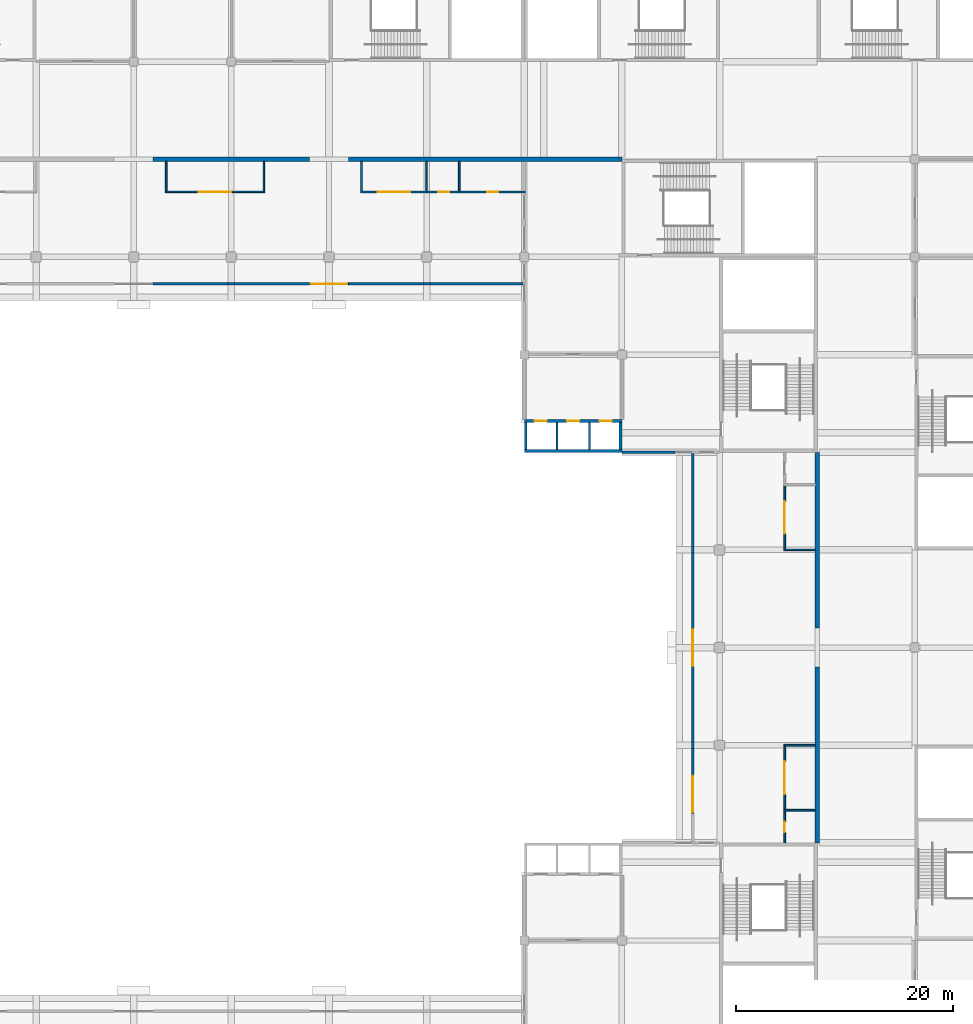
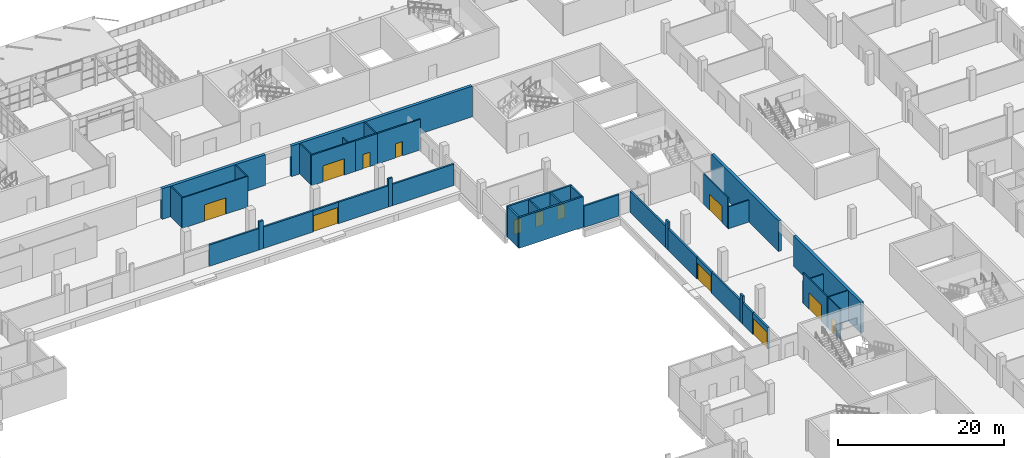
# One storey, part 102 of 168: 41 walls, 13 doors, 13 openings.
"""IFC4 building model written with IfcOpenShell, lengths in metres."""

from ifc_helpers import new_model, si_unit, direction, frame, frame_2d, origin, place, context, subcontext, project, spatial, rectangle, extrude, material, layer, layer_set, type_object, element, fill, save


model = new_model("IFC4")

# Units and contexts
model_context = context("Model", 3, precision=1e-05, world=origin(), true_north=direction((0.0, 1.0)))
body_context = subcontext(model_context, "Body", "Model", "MODEL_VIEW")
ifc_project = project(units=[si_unit("LENGTHUNIT", "METRE"), si_unit("AREAUNIT", "SQUARE_METRE"), si_unit("VOLUMEUNIT", "CUBIC_METRE"), si_unit("PLANEANGLEUNIT", "RADIAN"), si_unit("MASSUNIT", "GRAM", prefix="KILO")], contexts=[model_context])

# Site, building, storey
site_placement = place(None, origin())
site = spatial("IfcSite", under=ifc_project, at=site_placement, CompositionType="ELEMENT")
building_placement = place(site_placement, origin())
building = spatial("IfcBuilding", under=site, at=building_placement, Name="Silverbay Arena", CompositionType="ELEMENT")
storey_placement = place(building_placement, frame((0.0, 0.0, 7.0)))
storey = spatial("IfcBuildingStorey", under=building, at=storey_placement, Name="L01", CompositionType="ELEMENT", Elevation=7.0)

# Wall
ifc_material_1 = material(Name="Concrete Grade C45", Category="concrete")
ifc_layer_1 = layer(ifc_material_1, 0.25)
ifc_layer_set_1 = layer_set([ifc_layer_1], Name="Concrete Grade C45")
wall_type_1 = type_object("IfcWallType", Name="Bowl enclosure wall RC 250 EI 120", PredefinedType="SOLIDWALL", material=ifc_layer_set_1)
wall_1_placement = place(storey_placement, frame((171.0, 99.0, 0.0), z_axis=(0.0, 0.0, 1.0), x_axis=(1.0, 0.0, 0.0)))
element("IfcWall", 1, at=wall_1_placement, inside=storey, type_object=wall_type_1, Name="Bowl enclosure wall, corner block NE-y", PredefinedType="SOLIDWALL", context=body_context, shape_type="SweptSolid", body=[
    extrude(rectangle(XDim=4.89990234375, YDim=0.25, at=frame_2d((2.449951171875, 0.0))), origin(), (0.0, 0.0, 1.0), 3.14990234375),
])

# Wall, opening, door
wall_2_placement = place(storey_placement, frame((142.199951171875, 114.52490234375, 0.0), z_axis=(0.0, 0.0, 1.0), x_axis=(1.0, 0.0, 0.0)))
wall_2 = element("IfcWall", 2, at=wall_2_placement, inside=storey, type_object=wall_type_1, Name="portal vomitory North 144", PredefinedType="SOLIDWALL", context=body_context, shape_type="SweptSolid", body=[
    extrude(rectangle(XDim=3.60009765625, YDim=0.25, at=frame_2d((1.800048828125, 0.0))), origin(), (0.0, 0.0, 1.0), 3.14990234375),
])
opening_1_placement = place(wall_2_placement, frame((0.10009765625, 0.0, 0.0)))
opening_1 = element("IfcOpeningElement", 3, at=opening_1_placement, cuts=wall_2, Name="Opening L01-162", PredefinedType="OPENING", context=body_context, shape_type="SweptSolid", body=[
    extrude(rectangle(XDim=3.39990234375, YDim=2.39990234375, at=frame_2d((1.699951171875, 1.199951171875))), frame((0.0, 0.135009765625, 0.0), z_axis=(0.0, -1.0, 0.0), x_axis=(1.0, 0.0, 0.0)), (0.0, 0.0, 1.0), 0.27001953125),
])
ifc_material_2 = material(Name="Steel", Category="steel")
door_type_1 = type_object("IfcDoorType", Name="Fire door set 3400 x 2400 FD120S portal", OperationType="DOUBLE_DOOR_SINGLE_SWING", PredefinedType="DOOR", material=ifc_material_2)
door_1_placement = place(opening_1_placement, origin())
door_1 = element("IfcDoor", 4, at=door_1_placement, inside=storey, type_object=door_type_1, Name="Fire door set L01 portal vomitory North 144", OperationType="DOUBLE_DOOR_SINGLE_SWING", OverallHeight=2.39990234375, OverallWidth=3.39990234375, PredefinedType="DOOR", context=body_context, shape_type="SweptSolid", body=[
    extrude(rectangle(XDim=3.39990234375, YDim=2.39990234375, at=frame_2d((1.699951171875, 1.199951171875))), frame((0.0, 0.02490234375, 0.0), z_axis=(0.0, -1.0, 0.0), x_axis=(1.0, 0.0, 0.0)), (0.0, 0.0, 1.0), 0.050048828125),
])
fill(opening_1, door_1)

wall_3_placement = place(storey_placement, frame((177.52490234375, 79.199951171875, 0.0), z_axis=(0.0, 0.0, 1.0), x_axis=(0.0, 1.0, 0.0)))
wall_3 = element("IfcWall", 5, at=wall_3_placement, inside=storey, type_object=wall_type_1, Name="portal vomitory East 81", PredefinedType="SOLIDWALL", context=body_context, shape_type="SweptSolid", body=[
    extrude(rectangle(XDim=3.60009765625, YDim=0.25, at=frame_2d((1.800048828125, 0.0))), origin(), (0.0, 0.0, 1.0), 3.14990234375),
])
opening_2_placement = place(wall_3_placement, frame((0.10009765625, 0.0, 0.0)))
opening_2 = element("IfcOpeningElement", 6, at=opening_2_placement, cuts=wall_3, Name="Opening L01-164", PredefinedType="OPENING", context=body_context, shape_type="SweptSolid", body=[
    extrude(rectangle(XDim=3.39990234375, YDim=2.39990234375, at=frame_2d((1.699951171875, 1.199951171875))), frame((0.0, 0.135009765625, 0.0), z_axis=(0.0, -1.0, 0.0), x_axis=(1.0, 0.0, 0.0)), (0.0, 0.0, 1.0), 0.27001953125),
])
door_2_placement = place(opening_2_placement, frame((3.39990234375, 0.0, 0.0), z_axis=(0.0, 0.0, 1.0), x_axis=(-1.0, 0.0, 0.0)))
door_2 = element("IfcDoor", 7, at=door_2_placement, inside=storey, type_object=door_type_1, Name="Fire door set L01 portal vomitory East 81", OperationType="DOUBLE_DOOR_SINGLE_SWING", OverallHeight=2.39990234375, OverallWidth=3.39990234375, PredefinedType="DOOR", context=body_context, shape_type="SweptSolid", body=[
    extrude(rectangle(XDim=3.39990234375, YDim=2.39990234375, at=frame_2d((1.699951171875, 1.199951171875))), frame((0.0, 0.02490234375, 0.0), z_axis=(0.0, -1.0, 0.0), x_axis=(1.0, 0.0, 0.0)), (0.0, 0.0, 1.0), 0.050048828125),
])
fill(opening_2, door_2)

wall_4_placement = place(storey_placement, frame((177.52490234375, 65.699951171875, 0.0), z_axis=(0.0, 0.0, 1.0), x_axis=(0.0, 1.0, 0.0)))
wall_4 = element("IfcWall", 8, at=wall_4_placement, inside=storey, type_object=wall_type_1, Name="portal stand East 67.5", PredefinedType="SOLIDWALL", context=body_context, shape_type="SweptSolid", body=[
    extrude(rectangle(XDim=3.60009765625, YDim=0.25, at=frame_2d((1.800048828125, 0.0))), origin(), (0.0, 0.0, 1.0), 3.14990234375),
])
opening_3_placement = place(wall_4_placement, frame((0.10009765625, 0.0, 0.0)))
opening_3 = element("IfcOpeningElement", 9, at=opening_3_placement, cuts=wall_4, Name="Opening L01-168", PredefinedType="OPENING", context=body_context, shape_type="SweptSolid", body=[
    extrude(rectangle(XDim=3.39990234375, YDim=2.39990234375, at=frame_2d((1.699951171875, 1.199951171875))), frame((0.0, 0.135009765625, 0.0), z_axis=(0.0, -1.0, 0.0), x_axis=(1.0, 0.0, 0.0)), (0.0, 0.0, 1.0), 0.27001953125),
])
door_3_placement = place(opening_3_placement, frame((3.39990234375, 0.0, 0.0), z_axis=(0.0, 0.0, 1.0), x_axis=(-1.0, 0.0, 0.0)))
door_3 = element("IfcDoor", 10, at=door_3_placement, inside=storey, type_object=door_type_1, Name="Fire door set L01 portal stand East 67.5", OperationType="DOUBLE_DOOR_SINGLE_SWING", OverallHeight=2.39990234375, OverallWidth=3.39990234375, PredefinedType="DOOR", context=body_context, shape_type="SweptSolid", body=[
    extrude(rectangle(XDim=3.39990234375, YDim=2.39990234375, at=frame_2d((1.699951171875, 1.199951171875))), frame((0.0, 0.02490234375, 0.0), z_axis=(0.0, -1.0, 0.0), x_axis=(1.0, 0.0, 0.0)), (0.0, 0.0, 1.0), 0.050048828125),
])
fill(opening_3, door_3)

# Walls
wall_5_placement = place(storey_placement, frame((127.800048828125, 114.52490234375, 0.0), z_axis=(0.0, 0.0, 1.0), x_axis=(1.0, 0.0, 0.0)))
element("IfcWall", 11, at=wall_5_placement, inside=storey, type_object=wall_type_1, Name="Bowl enclosure wall, North stand", PredefinedType="SOLIDWALL", context=body_context, shape_type="SweptSolid", body=[
    extrude(rectangle(XDim=6.89990234375, YDim=0.25, at=frame_2d((3.449951171875, 0.0))), origin(), (0.0, 0.0, 1.0), 3.14990234375),
])
wall_6_placement = place(storey_placement, frame((153.300048828125, 114.52490234375, 0.0), z_axis=(0.0, 0.0, 1.0), x_axis=(1.0, 0.0, 0.0)))
element("IfcWall", 12, at=wall_6_placement, inside=storey, type_object=wall_type_1, Name="Bowl enclosure wall, North stand", PredefinedType="SOLIDWALL", context=body_context, shape_type="SweptSolid", body=[
    extrude(rectangle(XDim=8.574951171875, YDim=0.25, at=frame_2d((4.28759765625, 0.0))), origin(), (0.0, 0.0, 1.0), 3.14990234375),
])
wall_7_placement = place(storey_placement, frame((177.52490234375, 72.300048828125, 0.0), z_axis=(0.0, 0.0, 1.0), x_axis=(0.0, 1.0, 0.0)))
element("IfcWall", 13, at=wall_7_placement, inside=storey, type_object=wall_type_1, Name="Bowl enclosure wall, East stand", PredefinedType="SOLIDWALL", context=body_context, shape_type="SweptSolid", body=[
    extrude(rectangle(XDim=6.89990234375, YDim=0.25, at=frame_2d((3.449951171875, 0.0))), origin(), (0.0, 0.0, 1.0), 3.14990234375),
])
wall_8_placement = place(storey_placement, frame((177.52490234375, 90.300048828125, 0.0), z_axis=(0.0, 0.0, 1.0), x_axis=(0.0, 1.0, 0.0)))
element("IfcWall", 14, at=wall_8_placement, inside=storey, type_object=wall_type_1, Name="Bowl enclosure wall, East stand", PredefinedType="SOLIDWALL", context=body_context, shape_type="SweptSolid", body=[
    extrude(rectangle(XDim=8.574951171875, YDim=0.25, at=frame_2d((4.28759765625, 0.0))), origin(), (0.0, 0.0, 1.0), 3.14990234375),
])
wall_9_placement = place(storey_placement, frame((134.699951171875, 114.52490234375, 0.0), z_axis=(0.0, 0.0, 1.0), x_axis=(1.0, 0.0, 0.0)))
element("IfcWall", 15, at=wall_9_placement, inside=storey, type_object=wall_type_1, Name="Bowl enclosure wall, North stand", PredefinedType="SOLIDWALL", context=body_context, shape_type="SweptSolid", body=[
    extrude(rectangle(XDim=0.60009765625, YDim=0.25, at=frame_2d((0.300048828125, 0.0))), origin(), (0.0, 0.0, 1.0), 4.14990234375),
])
for number, where, z_axis, x_axis, name in (
    (16, (135.300048828125, 114.52490234375, 0.0), (0.0, 0.0, 1.0), (1.0, 0.0, 0.0), "Bowl enclosure wall, North stand"),
    (17, (145.800048828125, 114.52490234375, 0.0), (0.0, 0.0, 1.0), (1.0, 0.0, 0.0), "Bowl enclosure wall, North stand"),
):
    element("IfcWall", number, at=place(storey_placement, frame(where, z_axis=z_axis, x_axis=x_axis)), inside=storey, type_object=wall_type_1, Name=name, PredefinedType="SOLIDWALL", context=body_context, shape_type="SweptSolid", body=[
        extrude(rectangle(XDim=6.89990234375, YDim=0.25, at=frame_2d((3.449951171875, 0.0))), origin(), (0.0, 0.0, 1.0), 3.14990234375),
    ])
wall_10_placement = place(storey_placement, frame((152.699951171875, 114.52490234375, 0.0), z_axis=(0.0, 0.0, 1.0), x_axis=(1.0, 0.0, 0.0)))
element("IfcWall", 18, at=wall_10_placement, inside=storey, type_object=wall_type_1, Name="Bowl enclosure wall, North stand", PredefinedType="SOLIDWALL", context=body_context, shape_type="SweptSolid", body=[
    extrude(rectangle(XDim=0.60009765625, YDim=0.25, at=frame_2d((0.300048828125, 0.0))), origin(), (0.0, 0.0, 1.0), 4.14990234375),
])
wall_11_placement = place(storey_placement, frame((177.52490234375, 69.300048828125, 0.0), z_axis=(0.0, 0.0, 1.0), x_axis=(0.0, 1.0, 0.0)))
element("IfcWall", 19, at=wall_11_placement, inside=storey, type_object=wall_type_1, Name="Bowl enclosure wall, East stand", PredefinedType="SOLIDWALL", context=body_context, shape_type="SweptSolid", body=[
    extrude(rectangle(XDim=2.39990234375, YDim=0.25, at=frame_2d((1.199951171875, 0.0))), origin(), (0.0, 0.0, 1.0), 3.14990234375),
])
wall_12_placement = place(storey_placement, frame((177.52490234375, 71.699951171875, 0.0), z_axis=(0.0, 0.0, 1.0), x_axis=(0.0, 1.0, 0.0)))
element("IfcWall", 20, at=wall_12_placement, inside=storey, type_object=wall_type_1, Name="Bowl enclosure wall, East stand", PredefinedType="SOLIDWALL", context=body_context, shape_type="SweptSolid", body=[
    extrude(rectangle(XDim=0.60009765625, YDim=0.25, at=frame_2d((0.300048828125, 0.0))), origin(), (0.0, 0.0, 1.0), 4.14990234375),
])
wall_13_placement = place(storey_placement, frame((177.52490234375, 82.800048828125, 0.0), z_axis=(0.0, 0.0, 1.0), x_axis=(0.0, 1.0, 0.0)))
element("IfcWall", 21, at=wall_13_placement, inside=storey, type_object=wall_type_1, Name="Bowl enclosure wall, East stand", PredefinedType="SOLIDWALL", context=body_context, shape_type="SweptSolid", body=[
    extrude(rectangle(XDim=6.89990234375, YDim=0.25, at=frame_2d((3.449951171875, 0.0))), origin(), (0.0, 0.0, 1.0), 3.14990234375),
])
wall_14_placement = place(storey_placement, frame((177.52490234375, 89.699951171875, 0.0), z_axis=(0.0, 0.0, 1.0), x_axis=(0.0, 1.0, 0.0)))
element("IfcWall", 22, at=wall_14_placement, inside=storey, type_object=wall_type_1, Name="Bowl enclosure wall, East stand", PredefinedType="SOLIDWALL", context=body_context, shape_type="SweptSolid", body=[
    extrude(rectangle(XDim=0.60009765625, YDim=0.25, at=frame_2d((0.300048828125, 0.0))), origin(), (0.0, 0.0, 1.0), 4.14990234375),
])
ifc_material_3 = material(Name="Concrete Grade C45", Category="concrete")
ifc_layer_2 = layer(ifc_material_3, 0.199951171875)
ifc_layer_set_2 = layer_set([ifc_layer_2], Name="Concrete Grade C45")
wall_type_2 = type_object("IfcWallType", Name="Lift shaft divider RC 200 EI 120", PredefinedType="SHEAR", material=ifc_layer_set_2)
for number, where, z_axis, x_axis, name in (
    (23, (165.0, 99.25, 0.0), (0.0, 0.0, 1.0), (0.0, 1.0, 0.0), "Lift shaft divider LB-NE L01 1"),
    (24, (168.0, 99.25, 0.0), (0.0, 0.0, 1.0), (0.0, 1.0, 0.0), "Lift shaft divider LB-NE L01 2"),
):
    element("IfcWall", number, at=place(storey_placement, frame(where, z_axis=z_axis, x_axis=x_axis)), inside=storey, type_object=wall_type_2, Name=name, PredefinedType="SHEAR", context=body_context, shape_type="SweptSolid", body=[
        extrude(rectangle(XDim=2.5, YDim=0.199951171875, at=frame_2d((1.25, 0.0))), origin(), (0.0, 0.0, 1.0), 4.5),
    ])

# Wall, openings, doors
ifc_material_4 = material(Name="Concrete Grade C45", Category="concrete")
ifc_layer_3 = layer(ifc_material_4, 0.25)
ifc_layer_set_3 = layer_set([ifc_layer_3], Name="Concrete Grade C45")
wall_type_3 = type_object("IfcWallType", Name="Lift shaft wall RC 250 EI 120", PredefinedType="SHEAR", material=ifc_layer_set_3)
wall_15_placement = place(storey_placement, frame((162.0, 101.875, 0.0), z_axis=(0.0, 0.0, 1.0), x_axis=(1.0, 0.0, 0.0)))
wall_15 = element("IfcWall", 25, at=wall_15_placement, inside=storey, type_object=wall_type_3, Name="Lift shaft wall LB-NE L01 landing side", PredefinedType="SHEAR", context=body_context, shape_type="SweptSolid", body=[
    extrude(rectangle(XDim=9.0, YDim=0.25, at=frame_2d((4.5, 0.0))), origin(), (0.0, 0.0, 1.0), 4.5),
])
opening_4_placement = place(wall_15_placement, frame((0.949951171875, 0.0, 0.0)))
opening_4 = element("IfcOpeningElement", 26, at=opening_4_placement, cuts=wall_15, Name="Opening L01-138", PredefinedType="OPENING", context=body_context, shape_type="SweptSolid", body=[
    extrude(rectangle(XDim=1.10009765625, YDim=2.10009765625, at=frame_2d((0.550048828125, 1.050048828125))), frame((0.0, 0.135009765625, 0.0), z_axis=(0.0, -1.0, 0.0), x_axis=(1.0, 0.0, 0.0)), (0.0, 0.0, 1.0), 0.27001953125),
])
opening_5_placement = place(wall_15_placement, frame((3.949951171875, 0.0, 0.0)))
opening_5 = element("IfcOpeningElement", 27, at=opening_5_placement, cuts=wall_15, Name="Opening L01-139", PredefinedType="OPENING", context=body_context, shape_type="SweptSolid", body=[
    extrude(rectangle(XDim=1.10009765625, YDim=2.10009765625, at=frame_2d((0.550048828125, 1.050048828125))), frame((0.0, 0.135009765625, 0.0), z_axis=(0.0, -1.0, 0.0), x_axis=(1.0, 0.0, 0.0)), (0.0, 0.0, 1.0), 0.27001953125),
])
opening_6_placement = place(wall_15_placement, frame((6.949951171875, 0.0, 0.0)))
opening_6 = element("IfcOpeningElement", 28, at=opening_6_placement, cuts=wall_15, Name="Opening L01-140", PredefinedType="OPENING", context=body_context, shape_type="SweptSolid", body=[
    extrude(rectangle(XDim=1.10009765625, YDim=2.10009765625, at=frame_2d((0.550048828125, 1.050048828125))), frame((0.0, 0.135009765625, 0.0), z_axis=(0.0, -1.0, 0.0), x_axis=(1.0, 0.0, 0.0)), (0.0, 0.0, 1.0), 0.27001953125),
])
ifc_material_5 = material(Name="Stainless steel", Category="steel")
door_type_2 = type_object("IfcDoorType", Name="LD1 lift landing door 1100 x 2100", OperationType="DOUBLE_DOOR_SLIDING", PredefinedType="DOOR", material=ifc_material_5)
door_4_placement = place(opening_4_placement, origin())
door_4 = element("IfcDoor", 29, at=door_4_placement, inside=storey, type_object=door_type_2, Name="Lift landing door LF12 L01", OperationType="DOUBLE_DOOR_SLIDING", OverallHeight=2.10009765625, OverallWidth=1.10009765625, PredefinedType="DOOR", context=body_context, shape_type="SweptSolid", body=[
    extrude(rectangle(XDim=1.10009765625, YDim=2.10009765625, at=frame_2d((0.550048828125, 1.050048828125))), frame((0.0, 0.02490234375, 0.0), z_axis=(0.0, -1.0, 0.0), x_axis=(1.0, 0.0, 0.0)), (0.0, 0.0, 1.0), 0.050048828125),
])
fill(opening_4, door_4)
door_5_placement = place(opening_5_placement, origin())
door_5 = element("IfcDoor", 30, at=door_5_placement, inside=storey, type_object=door_type_2, Name="Lift landing door LF13 L01", OperationType="DOUBLE_DOOR_SLIDING", OverallHeight=2.10009765625, OverallWidth=1.10009765625, PredefinedType="DOOR", context=body_context, shape_type="SweptSolid", body=[
    extrude(rectangle(XDim=1.10009765625, YDim=2.10009765625, at=frame_2d((0.550048828125, 1.050048828125))), frame((0.0, 0.02490234375, 0.0), z_axis=(0.0, -1.0, 0.0), x_axis=(1.0, 0.0, 0.0)), (0.0, 0.0, 1.0), 0.050048828125),
])
fill(opening_5, door_5)
door_6_placement = place(opening_6_placement, origin())
door_6 = element("IfcDoor", 31, at=door_6_placement, inside=storey, type_object=door_type_2, Name="Lift landing door LF14 L01", OperationType="DOUBLE_DOOR_SLIDING", OverallHeight=2.10009765625, OverallWidth=1.10009765625, PredefinedType="DOOR", context=body_context, shape_type="SweptSolid", body=[
    extrude(rectangle(XDim=1.10009765625, YDim=2.10009765625, at=frame_2d((0.550048828125, 1.050048828125))), frame((0.0, 0.02490234375, 0.0), z_axis=(0.0, -1.0, 0.0), x_axis=(1.0, 0.0, 0.0)), (0.0, 0.0, 1.0), 0.050048828125),
])
fill(opening_6, door_6)

# Walls
wall_16_placement = place(storey_placement, frame((162.0, 99.125, 0.0), z_axis=(0.0, 0.0, 1.0), x_axis=(1.0, 0.0, 0.0)))
element("IfcWall", 32, at=wall_16_placement, inside=storey, type_object=wall_type_3, Name="Lift shaft wall LB-NE L01 back", PredefinedType="SHEAR", context=body_context, shape_type="SweptSolid", body=[
    extrude(rectangle(XDim=9.0, YDim=0.25, at=frame_2d((4.5, 0.0))), origin(), (0.0, 0.0, 1.0), 4.5),
])
for number, where, z_axis, x_axis, name in (
    (33, (162.125, 99.25, 0.0), (0.0, 0.0, 1.0), (0.0, 1.0, 0.0), "Lift shaft wall LB-NE L01 end"),
    (34, (170.875, 99.25, 0.0), (0.0, 0.0, 1.0), (0.0, 1.0, 0.0), "Lift shaft wall LB-NE L01 end"),
):
    element("IfcWall", number, at=place(storey_placement, frame(where, z_axis=z_axis, x_axis=x_axis)), inside=storey, type_object=wall_type_3, Name=name, PredefinedType="SHEAR", context=body_context, shape_type="SweptSolid", body=[
        extrude(rectangle(XDim=2.5, YDim=0.25, at=frame_2d((1.25, 0.0))), origin(), (0.0, 0.0, 1.0), 4.5),
    ])
ifc_material_6 = material(Name="Gypsum board partition on steel studs", Category="steel")
ifc_layer_4 = layer(ifc_material_6, 0.14990234375)
ifc_layer_set_4 = layer_set([ifc_layer_4], Name="Gypsum board partition on steel studs")
wall_type_4 = type_object("IfcWallType", Name="Partition 150 EI 60", PredefinedType="PARTITIONING", material=ifc_layer_set_4)
wall_17_placement = place(storey_placement, frame((185.925048828125, 66.0, 0.0), z_axis=(0.0, 0.0, 1.0), x_axis=(1.0, 0.0, 0.0)))
element("IfcWall", 35, at=wall_17_placement, inside=storey, type_object=wall_type_4, Name="Partition wall", PredefinedType="PARTITIONING", context=body_context, shape_type="SweptSolid", body=[
    extrude(rectangle(XDim=2.875, YDim=0.14990234375, at=frame_2d((1.4375, 0.0))), origin(), (0.0, 0.0, 1.0), 4.5),
])
for number, where, z_axis, x_axis, name in (
    (36, (185.925048828125, 72.0, 0.0), (0.0, 0.0, 1.0), (1.0, 0.0, 0.0), "Partition wall"),
    (37, (185.925048828125, 90.0, 0.0), (0.0, 0.0, 1.0), (1.0, 0.0, 0.0), "Partition wall"),
):
    element("IfcWall", number, at=place(storey_placement, frame(where, z_axis=z_axis, x_axis=x_axis)), inside=storey, type_object=wall_type_4, Name=name, PredefinedType="PARTITIONING", context=body_context, shape_type="SweptSolid", body=[
        extrude(rectangle(XDim=2.875, YDim=0.14990234375, at=frame_2d((1.4375, 0.0))), origin(), (0.0, 0.0, 1.0), 3.25),
    ])

# Wall, opening, door
wall_18_placement = place(storey_placement, frame((128.925048828125, 123.0, 0.0), z_axis=(0.0, 0.0, 1.0), x_axis=(1.0, 0.0, 0.0)))
wall_18 = element("IfcWall", 38, at=wall_18_placement, inside=storey, type_object=wall_type_4, Name="Partition wall", PredefinedType="PARTITIONING", context=body_context, shape_type="SweptSolid", body=[
    extrude(rectangle(XDim=9.14990234375, YDim=0.14990234375, at=frame_2d((4.574951171875, 0.0))), origin(), (0.0, 0.0, 1.0), 4.5),
])
opening_7_placement = place(wall_18_placement, frame((3.074951171875, 0.0, 0.0)))
opening_7 = element("IfcOpeningElement", 39, at=opening_7_placement, cuts=wall_18, Name="Opening L01-027", PredefinedType="OPENING", context=body_context, shape_type="SweptSolid", body=[
    extrude(rectangle(XDim=3.0, YDim=2.39990234375, at=frame_2d((1.5, 1.199951171875))), frame((0.0, 0.0849609375, 0.0), z_axis=(0.0, -1.0, 0.0), x_axis=(1.0, 0.0, 0.0)), (0.0, 0.0, 1.0), 0.169921875),
])
ifc_material_7 = material(Name="Steel", Category="steel")
door_type_3 = type_object("IfcDoorType", Name="Roller shutter 3000 x 2400 FD30S", OperationType="ROLLINGUP", PredefinedType="DOOR", material=ifc_material_7)
door_7_placement = place(opening_7_placement, origin())
door_7 = element("IfcDoor", 40, at=door_7_placement, inside=storey, type_object=door_type_3, Name="Door L01-027", OperationType="ROLLINGUP", OverallHeight=2.39990234375, OverallWidth=3.0, PredefinedType="DOOR", context=body_context, shape_type="SweptSolid", body=[
    extrude(rectangle(XDim=3.0, YDim=2.39990234375, at=frame_2d((1.5, 1.199951171875))), frame((0.0, 0.02490234375, 0.0), z_axis=(0.0, -1.0, 0.0), x_axis=(1.0, 0.0, 0.0)), (0.0, 0.0, 1.0), 0.050048828125),
])
fill(opening_7, door_7)

# Walls
for number, where, z_axis, x_axis, name in (
    (41, (129.0, 123.074951171875, 0.0), (0.0, 0.0, 1.0), (0.0, 1.0, 0.0), "Partition wall"),
    (42, (138.0, 123.074951171875, 0.0), (0.0, 0.0, 1.0), (0.0, 1.0, 0.0), "Partition wall"),
):
    element("IfcWall", number, at=place(storey_placement, frame(where, z_axis=z_axis, x_axis=x_axis)), inside=storey, type_object=wall_type_4, Name=name, PredefinedType="PARTITIONING", context=body_context, shape_type="SweptSolid", body=[
        extrude(rectangle(XDim=2.72509765625, YDim=0.14990234375, at=frame_2d((1.362548828125, 0.0))), origin(), (0.0, 0.0, 1.0), 4.5),
    ])
wall_19_placement = place(storey_placement, frame((147.0, 123.10009765625, 0.0), z_axis=(0.0, 0.0, 1.0), x_axis=(0.0, 1.0, 0.0)))
element("IfcWall", 43, at=wall_19_placement, inside=storey, type_object=wall_type_4, Name="Partition wall", PredefinedType="PARTITIONING", context=body_context, shape_type="SweptSolid", body=[
    extrude(rectangle(XDim=2.699951171875, YDim=0.14990234375, at=frame_2d((1.35009765625, 0.0))), origin(), (0.0, 0.0, 1.0), 4.5),
])
wall_20_placement = place(storey_placement, frame((153.0, 123.10009765625, 0.0), z_axis=(0.0, 0.0, 1.0), x_axis=(0.0, 1.0, 0.0)))
element("IfcWall", 44, at=wall_20_placement, inside=storey, type_object=wall_type_4, Name="Partition wall", PredefinedType="PARTITIONING", context=body_context, shape_type="SweptSolid", body=[
    extrude(rectangle(XDim=2.699951171875, YDim=0.14990234375, at=frame_2d((1.35009765625, 0.0))), origin(), (0.0, 0.0, 1.0), 3.25),
])
wall_21_placement = place(storey_placement, frame((156.0, 123.10009765625, 0.0), z_axis=(0.0, 0.0, 1.0), x_axis=(0.0, 1.0, 0.0)))
element("IfcWall", 45, at=wall_21_placement, inside=storey, type_object=wall_type_4, Name="Partition wall", PredefinedType="PARTITIONING", context=body_context, shape_type="SweptSolid", body=[
    extrude(rectangle(XDim=2.699951171875, YDim=0.14990234375, at=frame_2d((1.35009765625, 0.0))), origin(), (0.0, 0.0, 1.0), 4.5),
])

# Wall, opening, door
wall_22_placement = place(storey_placement, frame((186.0, 63.0, 0.0), z_axis=(0.0, 0.0, 1.0), x_axis=(0.0, 1.0, 0.0)))
wall_22 = element("IfcWall", 46, at=wall_22_placement, inside=storey, type_object=wall_type_4, Name="Partition wall", PredefinedType="PARTITIONING", context=body_context, shape_type="SweptSolid", body=[
    extrude(rectangle(XDim=2.925048828125, YDim=0.14990234375, at=frame_2d((1.46240234375, 0.0))), origin(), (0.0, 0.0, 1.0), 4.5),
])
opening_8_placement = place(wall_22_placement, frame((0.9619140625, 0.0, 0.0)))
opening_8 = element("IfcOpeningElement", 47, at=opening_8_placement, cuts=wall_22, Name="Opening L01-035", PredefinedType="OPENING", context=body_context, shape_type="SweptSolid", body=[
    extrude(rectangle(XDim=1.0, YDim=2.10009765625, at=frame_2d((0.5, 1.050048828125))), frame((0.0, 0.0849609375, 0.0), z_axis=(0.0, -1.0, 0.0), x_axis=(1.0, 0.0, 0.0)), (0.0, 0.0, 1.0), 0.169921875),
])
ifc_material_8 = material(Name="Steel faced timber", Category="steel")
door_type_4 = type_object("IfcDoorType", Name="Single leaf door 1000 x 2100 FD30S", OperationType="SINGLE_SWING_LEFT", PredefinedType="DOOR", material=ifc_material_8)
door_8_placement = place(opening_8_placement, frame((1.0, 0.0, 0.0), z_axis=(0.0, 0.0, 1.0), x_axis=(-1.0, 0.0, 0.0)))
door_8 = element("IfcDoor", 48, at=door_8_placement, inside=storey, type_object=door_type_4, Name="Door L01-035", OperationType="SINGLE_SWING_RIGHT", OverallHeight=2.10009765625, OverallWidth=1.0, PredefinedType="DOOR", context=body_context, shape_type="SweptSolid", body=[
    extrude(rectangle(XDim=1.0, YDim=2.10009765625, at=frame_2d((0.5, 1.050048828125))), frame((0.0, 0.02490234375, 0.0), z_axis=(0.0, -1.0, 0.0), x_axis=(1.0, 0.0, 0.0)), (0.0, 0.0, 1.0), 0.050048828125),
])
fill(opening_8, door_8)

wall_23_placement = place(storey_placement, frame((186.0, 66.074951171875, 0.0), z_axis=(0.0, 0.0, 1.0), x_axis=(0.0, 1.0, 0.0)))
wall_23 = element("IfcWall", 49, at=wall_23_placement, inside=storey, type_object=wall_type_4, Name="Partition wall", PredefinedType="PARTITIONING", context=body_context, shape_type="SweptSolid", body=[
    extrude(rectangle(XDim=5.85009765625, YDim=0.14990234375, at=frame_2d((2.925048828125, 0.0))), origin(), (0.0, 0.0, 1.0), 4.5),
])
opening_9_placement = place(wall_23_placement, frame((1.425048828125, 0.0, 0.0)))
opening_9 = element("IfcOpeningElement", 50, at=opening_9_placement, cuts=wall_23, Name="Opening L01-036", PredefinedType="OPENING", context=body_context, shape_type="SweptSolid", body=[
    extrude(rectangle(XDim=3.0, YDim=2.39990234375, at=frame_2d((1.5, 1.199951171875))), frame((0.0, 0.0849609375, 0.0), z_axis=(0.0, -1.0, 0.0), x_axis=(1.0, 0.0, 0.0)), (0.0, 0.0, 1.0), 0.169921875),
])
door_9_placement = place(opening_9_placement, origin())
door_9 = element("IfcDoor", 51, at=door_9_placement, inside=storey, type_object=door_type_3, Name="Door L01-036", OperationType="ROLLINGUP", OverallHeight=2.39990234375, OverallWidth=3.0, PredefinedType="DOOR", context=body_context, shape_type="SweptSolid", body=[
    extrude(rectangle(XDim=3.0, YDim=2.39990234375, at=frame_2d((1.5, 1.199951171875))), frame((0.0, 0.02490234375, 0.0), z_axis=(0.0, -1.0, 0.0), x_axis=(1.0, 0.0, 0.0)), (0.0, 0.0, 1.0), 0.050048828125),
])
fill(opening_9, door_9)

wall_24_placement = place(storey_placement, frame((186.0, 90.074951171875, 0.0), z_axis=(0.0, 0.0, 1.0), x_axis=(0.0, 1.0, 0.0)))
wall_24 = element("IfcWall", 52, at=wall_24_placement, inside=storey, type_object=wall_type_4, Name="Partition wall", PredefinedType="PARTITIONING", context=body_context, shape_type="SweptSolid", body=[
    extrude(rectangle(XDim=5.85009765625, YDim=0.14990234375, at=frame_2d((2.925048828125, 0.0))), origin(), (0.0, 0.0, 1.0), 4.5),
])
opening_10_placement = place(wall_24_placement, frame((1.425048828125, 0.0, 0.0)))
opening_10 = element("IfcOpeningElement", 53, at=opening_10_placement, cuts=wall_24, Name="Opening L01-037", PredefinedType="OPENING", context=body_context, shape_type="SweptSolid", body=[
    extrude(rectangle(XDim=3.0, YDim=2.39990234375, at=frame_2d((1.5, 1.199951171875))), frame((0.0, 0.0849609375, 0.0), z_axis=(0.0, -1.0, 0.0), x_axis=(1.0, 0.0, 0.0)), (0.0, 0.0, 1.0), 0.169921875),
])
door_10_placement = place(opening_10_placement, origin())
door_10 = element("IfcDoor", 54, at=door_10_placement, inside=storey, type_object=door_type_3, Name="Door L01-037", OperationType="ROLLINGUP", OverallHeight=2.39990234375, OverallWidth=3.0, PredefinedType="DOOR", context=body_context, shape_type="SweptSolid", body=[
    extrude(rectangle(XDim=3.0, YDim=2.39990234375, at=frame_2d((1.5, 1.199951171875))), frame((0.0, 0.02490234375, 0.0), z_axis=(0.0, -1.0, 0.0), x_axis=(1.0, 0.0, 0.0)), (0.0, 0.0, 1.0), 0.050048828125),
])
fill(opening_10, door_10)

ifc_material_9 = material(Name="Masonry blockwork partition", Category="masonry")
ifc_layer_5 = layer(ifc_material_9, 0.199951171875)
ifc_layer_set_5 = layer_set([ifc_layer_5], Name="Masonry blockwork partition")
wall_type_5 = type_object("IfcWallType", Name="Partition 200 EI 120", PredefinedType="PARTITIONING", material=ifc_layer_set_5)
wall_25_placement = place(storey_placement, frame((156.074951171875, 123.0, 0.0), z_axis=(0.0, 0.0, 1.0), x_axis=(1.0, 0.0, 0.0)))
wall_25 = element("IfcWall", 55, at=wall_25_placement, inside=storey, type_object=wall_type_5, Name="Partition wall", PredefinedType="PARTITIONING", context=body_context, shape_type="SweptSolid", body=[
    extrude(rectangle(XDim=6.025146484375, YDim=0.199951171875, at=frame_2d((3.0126953125, 0.0))), origin(), (0.0, 0.0, 1.0), 4.5),
])
opening_11_placement = place(wall_25_placement, frame((2.512939453125, 0.0, 0.0)))
opening_11 = element("IfcOpeningElement", 56, at=opening_11_placement, cuts=wall_25, Name="Opening L01-030", PredefinedType="OPENING", context=body_context, shape_type="SweptSolid", body=[
    extrude(rectangle(XDim=1.0, YDim=2.10009765625, at=frame_2d((0.5, 1.050048828125))), frame((0.0, 0.10986328125, 0.0), z_axis=(0.0, -1.0, 0.0), x_axis=(1.0, 0.0, 0.0)), (0.0, 0.0, 1.0), 0.219970703125),
])
ifc_material_10 = material(Name="Steel faced timber", Category="steel")
door_type_5 = type_object("IfcDoorType", Name="Single leaf door 1000 x 2100 FD120", OperationType="SINGLE_SWING_LEFT", PredefinedType="DOOR", material=ifc_material_10)
door_11_placement = place(opening_11_placement, origin())
door_11 = element("IfcDoor", 57, at=door_11_placement, inside=storey, type_object=door_type_5, Name="Door L01-030", OperationType="SINGLE_SWING_RIGHT", OverallHeight=2.10009765625, OverallWidth=1.0, PredefinedType="DOOR", context=body_context, shape_type="SweptSolid", body=[
    extrude(rectangle(XDim=1.0, YDim=2.10009765625, at=frame_2d((0.5, 1.050048828125))), frame((0.0, 0.02490234375, 0.0), z_axis=(0.0, -1.0, 0.0), x_axis=(1.0, 0.0, 0.0)), (0.0, 0.0, 1.0), 0.050048828125),
])
fill(opening_11, door_11)

ifc_material_11 = material(Name="Gypsum board partition on steel studs", Category="steel")
ifc_layer_6 = layer(ifc_material_11, 0.199951171875)
ifc_layer_set_6 = layer_set([ifc_layer_6], Name="Gypsum board partition on steel studs")
wall_type_6 = type_object("IfcWallType", Name="Partition 200 EI 60", PredefinedType="PARTITIONING", material=ifc_layer_set_6)
wall_26_placement = place(storey_placement, frame((146.925048828125, 123.0, 0.0), z_axis=(0.0, 0.0, 1.0), x_axis=(1.0, 0.0, 0.0)))
wall_26 = element("IfcWall", 58, at=wall_26_placement, inside=storey, type_object=wall_type_6, Name="Partition wall", PredefinedType="PARTITIONING", context=body_context, shape_type="SweptSolid", body=[
    extrude(rectangle(XDim=6.14990234375, YDim=0.199951171875, at=frame_2d((3.074951171875, 0.0))), origin(), (0.0, 0.0, 1.0), 4.5),
])
opening_12_placement = place(wall_26_placement, frame((1.574951171875, 0.0, 0.0)))
opening_12 = element("IfcOpeningElement", 59, at=opening_12_placement, cuts=wall_26, Name="Opening L01-028", PredefinedType="OPENING", context=body_context, shape_type="SweptSolid", body=[
    extrude(rectangle(XDim=3.0, YDim=2.39990234375, at=frame_2d((1.5, 1.199951171875))), frame((0.0, 0.10986328125, 0.0), z_axis=(0.0, -1.0, 0.0), x_axis=(1.0, 0.0, 0.0)), (0.0, 0.0, 1.0), 0.219970703125),
])
door_12_placement = place(opening_12_placement, origin())
door_12 = element("IfcDoor", 60, at=door_12_placement, inside=storey, type_object=door_type_3, Name="Door L01-028", OperationType="ROLLINGUP", OverallHeight=2.39990234375, OverallWidth=3.0, PredefinedType="DOOR", context=body_context, shape_type="SweptSolid", body=[
    extrude(rectangle(XDim=3.0, YDim=2.39990234375, at=frame_2d((1.5, 1.199951171875))), frame((0.0, 0.02490234375, 0.0), z_axis=(0.0, -1.0, 0.0), x_axis=(1.0, 0.0, 0.0)), (0.0, 0.0, 1.0), 0.050048828125),
])
fill(opening_12, door_12)

wall_27_placement = place(storey_placement, frame((153.074951171875, 123.0, 0.0), z_axis=(0.0, 0.0, 1.0), x_axis=(1.0, 0.0, 0.0)))
wall_27 = element("IfcWall", 61, at=wall_27_placement, inside=storey, type_object=wall_type_6, Name="Partition wall", PredefinedType="PARTITIONING", context=body_context, shape_type="SweptSolid", body=[
    extrude(rectangle(XDim=3.0, YDim=0.199951171875, at=frame_2d((1.5, 0.0))), origin(), (0.0, 0.0, 1.0), 4.5),
])
opening_13_placement = place(wall_27_placement, frame((1.0, 0.0, 0.0)))
opening_13 = element("IfcOpeningElement", 62, at=opening_13_placement, cuts=wall_27, Name="Opening L01-029", PredefinedType="OPENING", context=body_context, shape_type="SweptSolid", body=[
    extrude(rectangle(XDim=1.0, YDim=2.10009765625, at=frame_2d((0.5, 1.050048828125))), frame((0.0, 0.10986328125, 0.0), z_axis=(0.0, -1.0, 0.0), x_axis=(1.0, 0.0, 0.0)), (0.0, 0.0, 1.0), 0.219970703125),
])
door_13_placement = place(opening_13_placement, origin())
door_13 = element("IfcDoor", 63, at=door_13_placement, inside=storey, type_object=door_type_4, Name="Door L01-029", OperationType="SINGLE_SWING_LEFT", OverallHeight=2.10009765625, OverallWidth=1.0, PredefinedType="DOOR", context=body_context, shape_type="SweptSolid", body=[
    extrude(rectangle(XDim=1.0, YDim=2.10009765625, at=frame_2d((0.5, 1.050048828125))), frame((0.0, 0.02490234375, 0.0), z_axis=(0.0, -1.0, 0.0), x_axis=(1.0, 0.0, 0.0)), (0.0, 0.0, 1.0), 0.050048828125),
])
fill(opening_13, door_13)

# Walls
ifc_material_12 = material(Name="Concrete Grade C45", Category="concrete")
ifc_layer_7 = layer(ifc_material_12, 0.39990234375)
ifc_layer_set_7 = layer_set([ifc_layer_7], Name="Concrete Grade C45")
wall_type_7 = type_object("IfcWallType", Name="RC back wall 400 EI 120", PredefinedType="SOLIDWALL", material=ifc_layer_set_7)
for number, where, z_axis, x_axis, name in (
    (64, (189.0, 63.0, 0.0), (0.0, 0.0, 1.0), (0.0, 1.0, 0.0), "Bowl back wall L01 04"),
    (65, (189.0, 82.800048828125, 0.0), (0.0, 0.0, 1.0), (0.0, 1.0, 0.0), "Bowl back wall L01 05"),
):
    element("IfcWall", number, at=place(storey_placement, frame(where, z_axis=z_axis, x_axis=x_axis)), inside=storey, type_object=wall_type_7, Name=name, PredefinedType="SOLIDWALL", context=body_context, shape_type="SweptSolid", body=[
        extrude(rectangle(XDim=16.199951171875, YDim=0.39990234375, at=frame_2d((8.10009765625, 0.0))), origin(), (0.0, 0.0, 1.0), 4.5),
    ])
wall_28_placement = place(storey_placement, frame((171.0, 126.0, 0.0), z_axis=(0.0, 0.0, 1.0), x_axis=(-1.0, 0.0, 0.0)))
element("IfcWall", 66, at=wall_28_placement, inside=storey, type_object=wall_type_7, Name="Bowl back wall L01 06", PredefinedType="SOLIDWALL", context=body_context, shape_type="SweptSolid", body=[
    extrude(rectangle(XDim=25.199951171875, YDim=0.39990234375, at=frame_2d((12.60009765625, 0.0))), origin(), (0.0, 0.0, 1.0), 4.5),
])
wall_29_placement = place(storey_placement, frame((142.199951171875, 126.0, 0.0), z_axis=(0.0, 0.0, 1.0), x_axis=(-1.0, 0.0, 0.0)))
element("IfcWall", 67, at=wall_29_placement, inside=storey, type_object=wall_type_7, Name="Bowl back wall L01 07", PredefinedType="SOLIDWALL", context=body_context, shape_type="SweptSolid", body=[
    extrude(rectangle(XDim=14.39990234375, YDim=0.39990234375, at=frame_2d((7.199951171875, 0.0))), origin(), (0.0, 0.0, 1.0), 4.5),
])

save(model, "model.ifc")
